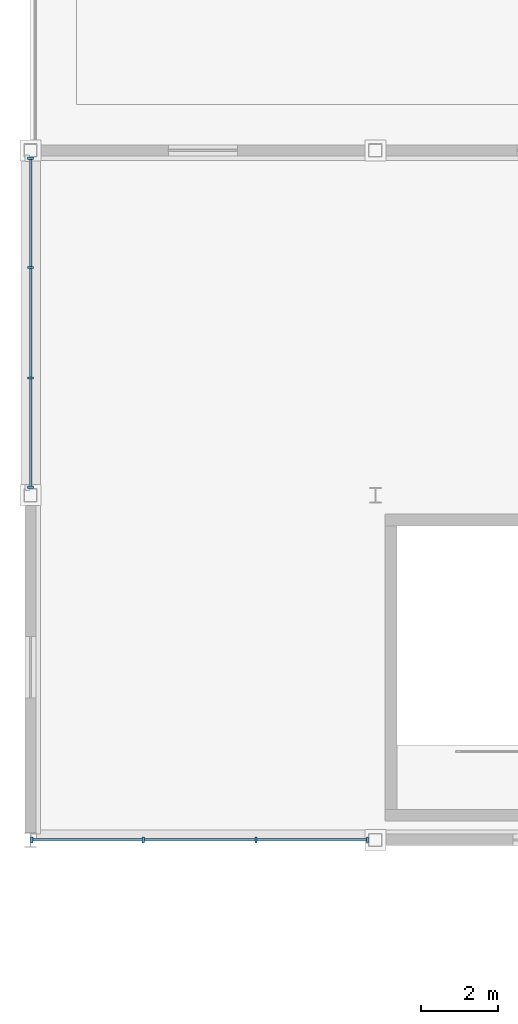
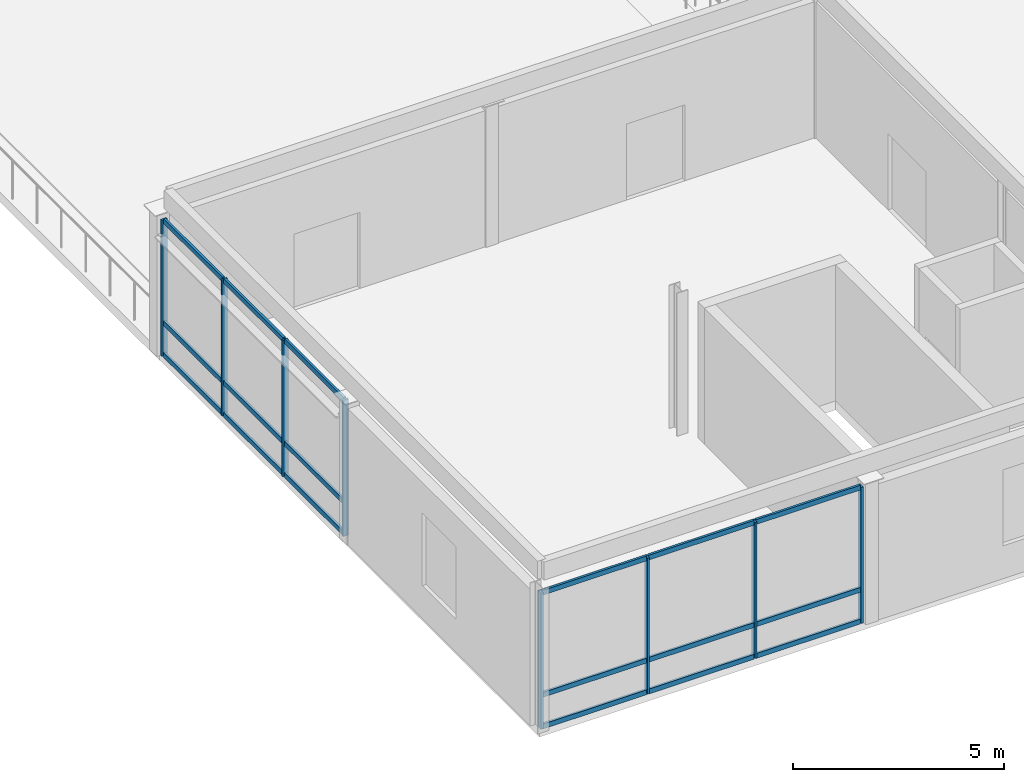
# One storey, part 6 of 14: 26 members, 2 elements without a shape of their own.
"""IFC4 building model written with IfcOpenShell, lengths in metres."""

from ifc_helpers import new_model, si_unit, direction, frame, origin, origin_2d, place, context, subcontext, project, spatial, rectangle, extrude, material, material_profile, profile_set, type_object, element, aggregate, save


model = new_model("IFC4")

# Units and contexts
model_context = context("Model", 3, precision=1e-05, world=origin(), true_north=direction((0.0, 1.0)))
body_context = subcontext(model_context, "Body", "Model", "MODEL_VIEW")
ifc_project = project(units=[si_unit("LENGTHUNIT", "METRE"), si_unit("AREAUNIT", "SQUARE_METRE"), si_unit("VOLUMEUNIT", "CUBIC_METRE"), si_unit("PLANEANGLEUNIT", "RADIAN"), si_unit("MASSUNIT", "GRAM", prefix="KILO")], contexts=[model_context])

# Site, building, storey
site_placement = place(None, origin())
site = spatial("IfcSite", under=ifc_project, at=site_placement, CompositionType="ELEMENT")
building_placement = place(site_placement, origin())
building = spatial("IfcBuilding", under=site, at=building_placement, Name="Suzunagisa Mobility Hub", CompositionType="ELEMENT")
storey_placement = place(building_placement, frame((0.0, 0.0, 26.10009765625)))
storey = spatial("IfcBuildingStorey", under=building, at=storey_placement, Name="L06", CompositionType="ELEMENT", Elevation=26.10009765625)

# Curtain wall, members
ifc_material_1 = material(Name="Thermally Broken Anodized Aluminum and Low-E Glazing", Category="aluminium")
curtain_wall_type = type_object("IfcCurtainWallType", Name="Unitised Curtain Wall CW-36 8750x3900", PredefinedType="USERDEFINED", material=ifc_material_1)
curtain_wall_1_placement = place(storey_placement, origin())
curtain_wall_1 = element("IfcCurtainWall", 1, at=curtain_wall_1_placement, inside=storey, type_object=curtain_wall_type, Name="L06 Unitised Curtain Wall CW-140", ObjectType="UNITISED CURTAIN WALL", PredefinedType="USERDEFINED")
ifc_material_2 = material(Name="Anodized Aluminum 6063-T6", Category="aluminium")
ifc_material_profile_1 = material_profile(ifc_material_2, rectangle(XDim=0.06494140625, YDim=0.139892578125, at=origin_2d()), Name="TRAN-65x140")
ifc_profile_set_1 = profile_set([ifc_material_profile_1], Name="Anodized Aluminum 6063-T6")
member_type_1 = type_object("IfcMemberType", Name="Curtain Wall Framing CM-01 TRAN-65x140", PredefinedType="USERDEFINED", material=ifc_profile_set_1)
member_1_placement = place(storey_placement, frame((45.0625, 80.0, 0.032470703125), z_axis=(1.0, 0.0, 0.0), x_axis=(0.0, 1.0, 0.0)))
member_1 = element("IfcMember", 2, at=member_1_placement, type_object=member_type_1, Name="Curtain Wall Transom 140-T1.1", ObjectType="TRANSOM", PredefinedType="USERDEFINED", context=body_context, shape_type="SweptSolid", body=[
    extrude(rectangle(XDim=0.06494140625, YDim=0.139892578125, at=origin_2d()), origin(), (0.0, 0.0, 1.0), 2.854248046875),
])
member_2_placement = place(storey_placement, frame((45.0625, 80.0, 0.949951171875), z_axis=(1.0, 0.0, 0.0), x_axis=(0.0, 1.0, 0.0)))
member_2 = element("IfcMember", 3, at=member_2_placement, type_object=member_type_1, Name="Curtain Wall Transom 140-T1.2", ObjectType="TRANSOM", PredefinedType="USERDEFINED", context=body_context, shape_type="SweptSolid", body=[
    extrude(rectangle(XDim=0.06494140625, YDim=0.139892578125, at=origin_2d()), origin(), (0.0, 0.0, 1.0), 2.854248046875),
])
member_3_placement = place(storey_placement, frame((45.0625, 80.0, 3.907470703125), z_axis=(1.0, 0.0, 0.0), x_axis=(0.0, 1.0, 0.0)))
member_3 = element("IfcMember", 4, at=member_3_placement, type_object=member_type_1, Name="Curtain Wall Transom 140-T1.3", ObjectType="TRANSOM", PredefinedType="USERDEFINED", context=body_context, shape_type="SweptSolid", body=[
    extrude(rectangle(XDim=0.06494140625, YDim=0.139892578125, at=origin_2d()), origin(), (0.0, 0.0, 1.0), 2.854248046875),
])
member_4_placement = place(storey_placement, frame((47.97265625, 80.0, 0.032470703125), z_axis=(1.0, 0.0, 0.0), x_axis=(0.0, 1.0, 0.0)))
member_4 = element("IfcMember", 5, at=member_4_placement, type_object=member_type_1, Name="Curtain Wall Transom 140-T2.1", ObjectType="TRANSOM", PredefinedType="USERDEFINED", context=body_context, shape_type="SweptSolid", body=[
    extrude(rectangle(XDim=0.06494140625, YDim=0.139892578125, at=origin_2d()), origin(), (0.0, 0.0, 1.0), 2.884033203125),
])
member_5_placement = place(storey_placement, frame((47.97265625, 80.0, 0.949951171875), z_axis=(1.0, 0.0, 0.0), x_axis=(0.0, 1.0, 0.0)))
member_5 = element("IfcMember", 6, at=member_5_placement, type_object=member_type_1, Name="Curtain Wall Transom 140-T2.2", ObjectType="TRANSOM", PredefinedType="USERDEFINED", context=body_context, shape_type="SweptSolid", body=[
    extrude(rectangle(XDim=0.06494140625, YDim=0.139892578125, at=origin_2d()), origin(), (0.0, 0.0, 1.0), 2.884033203125),
])
member_6_placement = place(storey_placement, frame((47.97265625, 80.0, 3.907470703125), z_axis=(1.0, 0.0, 0.0), x_axis=(0.0, 1.0, 0.0)))
member_6 = element("IfcMember", 7, at=member_6_placement, type_object=member_type_1, Name="Curtain Wall Transom 140-T2.3", ObjectType="TRANSOM", PredefinedType="USERDEFINED", context=body_context, shape_type="SweptSolid", body=[
    extrude(rectangle(XDim=0.06494140625, YDim=0.139892578125, at=origin_2d()), origin(), (0.0, 0.0, 1.0), 2.884033203125),
])
member_7_placement = place(storey_placement, frame((50.912841796875, 80.0, 0.032470703125), z_axis=(1.0, 0.0, 0.0), x_axis=(0.0, 1.0, 0.0)))
member_7 = element("IfcMember", 8, at=member_7_placement, type_object=member_type_1, Name="Curtain Wall Transom 140-T3.1", ObjectType="TRANSOM", PredefinedType="USERDEFINED", context=body_context, shape_type="SweptSolid", body=[
    extrude(rectangle(XDim=0.06494140625, YDim=0.139892578125, at=origin_2d()), origin(), (0.0, 0.0, 1.0), 2.854248046875),
])
member_8_placement = place(storey_placement, frame((50.912841796875, 80.0, 0.949951171875), z_axis=(1.0, 0.0, 0.0), x_axis=(0.0, 1.0, 0.0)))
member_8 = element("IfcMember", 9, at=member_8_placement, type_object=member_type_1, Name="Curtain Wall Transom 140-T3.2", ObjectType="TRANSOM", PredefinedType="USERDEFINED", context=body_context, shape_type="SweptSolid", body=[
    extrude(rectangle(XDim=0.06494140625, YDim=0.139892578125, at=origin_2d()), origin(), (0.0, 0.0, 1.0), 2.854248046875),
])
member_9_placement = place(storey_placement, frame((50.912841796875, 80.0, 3.907470703125), z_axis=(1.0, 0.0, 0.0), x_axis=(0.0, 1.0, 0.0)))
member_9 = element("IfcMember", 10, at=member_9_placement, type_object=member_type_1, Name="Curtain Wall Transom 140-T3.3", ObjectType="TRANSOM", PredefinedType="USERDEFINED", context=body_context, shape_type="SweptSolid", body=[
    extrude(rectangle(XDim=0.06494140625, YDim=0.139892578125, at=origin_2d()), origin(), (0.0, 0.0, 1.0), 2.854248046875),
])

curtain_wall_2_placement = place(storey_placement, origin())
curtain_wall_2 = element("IfcCurtainWall", 11, at=curtain_wall_2_placement, inside=storey, type_object=curtain_wall_type, Name="L06 Unitised Curtain Wall CW-141", ObjectType="UNITISED CURTAIN WALL", PredefinedType="USERDEFINED")
member_10_placement = place(storey_placement, frame((45.0, 97.76708984375, 0.032470703125), z_axis=(0.0, -1.0, 0.0), x_axis=(1.0, 0.0, 0.0)))
member_10 = element("IfcMember", 12, at=member_10_placement, type_object=member_type_1, Name="Curtain Wall Transom 141-T1.1", ObjectType="TRANSOM", PredefinedType="USERDEFINED", context=body_context, shape_type="SweptSolid", body=[
    extrude(rectangle(XDim=0.06494140625, YDim=0.139892578125, at=origin_2d()), origin(), (0.0, 0.0, 1.0), 2.79736328125),
])
member_11_placement = place(storey_placement, frame((45.0, 97.76708984375, 0.949951171875), z_axis=(0.0, -1.0, 0.0), x_axis=(1.0, 0.0, 0.0)))
member_11 = element("IfcMember", 13, at=member_11_placement, type_object=member_type_1, Name="Curtain Wall Transom 141-T1.2", ObjectType="TRANSOM", PredefinedType="USERDEFINED", context=body_context, shape_type="SweptSolid", body=[
    extrude(rectangle(XDim=0.06494140625, YDim=0.139892578125, at=origin_2d()), origin(), (0.0, 0.0, 1.0), 2.79736328125),
])
member_12_placement = place(storey_placement, frame((45.0, 97.76708984375, 3.907470703125), z_axis=(0.0, -1.0, 0.0), x_axis=(1.0, 0.0, 0.0)))
member_12 = element("IfcMember", 14, at=member_12_placement, type_object=member_type_1, Name="Curtain Wall Transom 141-T1.3", ObjectType="TRANSOM", PredefinedType="USERDEFINED", context=body_context, shape_type="SweptSolid", body=[
    extrude(rectangle(XDim=0.06494140625, YDim=0.139892578125, at=origin_2d()), origin(), (0.0, 0.0, 1.0), 2.79736328125),
])
member_13_placement = place(storey_placement, frame((45.0, 94.913818359375, 0.032470703125), z_axis=(0.0, -1.0, 0.0), x_axis=(1.0, 0.0, 0.0)))
member_13 = element("IfcMember", 15, at=member_13_placement, type_object=member_type_1, Name="Curtain Wall Transom 141-T2.1", ObjectType="TRANSOM", PredefinedType="USERDEFINED", context=body_context, shape_type="SweptSolid", body=[
    extrude(rectangle(XDim=0.06494140625, YDim=0.139892578125, at=origin_2d()), origin(), (0.0, 0.0, 1.0), 2.82763671875),
])
member_14_placement = place(storey_placement, frame((45.0, 94.913818359375, 0.949951171875), z_axis=(0.0, -1.0, 0.0), x_axis=(1.0, 0.0, 0.0)))
member_14 = element("IfcMember", 16, at=member_14_placement, type_object=member_type_1, Name="Curtain Wall Transom 141-T2.2", ObjectType="TRANSOM", PredefinedType="USERDEFINED", context=body_context, shape_type="SweptSolid", body=[
    extrude(rectangle(XDim=0.06494140625, YDim=0.139892578125, at=origin_2d()), origin(), (0.0, 0.0, 1.0), 2.82763671875),
])
member_15_placement = place(storey_placement, frame((45.0, 94.913818359375, 3.907470703125), z_axis=(0.0, -1.0, 0.0), x_axis=(1.0, 0.0, 0.0)))
member_15 = element("IfcMember", 17, at=member_15_placement, type_object=member_type_1, Name="Curtain Wall Transom 141-T2.3", ObjectType="TRANSOM", PredefinedType="USERDEFINED", context=body_context, shape_type="SweptSolid", body=[
    extrude(rectangle(XDim=0.06494140625, YDim=0.139892578125, at=origin_2d()), origin(), (0.0, 0.0, 1.0), 2.82763671875),
])
member_16_placement = place(storey_placement, frame((45.0, 92.0302734375, 0.032470703125), z_axis=(0.0, -1.0, 0.0), x_axis=(1.0, 0.0, 0.0)))
member_16 = element("IfcMember", 18, at=member_16_placement, type_object=member_type_1, Name="Curtain Wall Transom 141-T3.1", ObjectType="TRANSOM", PredefinedType="USERDEFINED", context=body_context, shape_type="SweptSolid", body=[
    extrude(rectangle(XDim=0.06494140625, YDim=0.139892578125, at=origin_2d()), origin(), (0.0, 0.0, 1.0), 2.79736328125),
])
member_17_placement = place(storey_placement, frame((45.0, 92.0302734375, 0.949951171875), z_axis=(0.0, -1.0, 0.0), x_axis=(1.0, 0.0, 0.0)))
member_17 = element("IfcMember", 19, at=member_17_placement, type_object=member_type_1, Name="Curtain Wall Transom 141-T3.2", ObjectType="TRANSOM", PredefinedType="USERDEFINED", context=body_context, shape_type="SweptSolid", body=[
    extrude(rectangle(XDim=0.06494140625, YDim=0.139892578125, at=origin_2d()), origin(), (0.0, 0.0, 1.0), 2.79736328125),
])
member_18_placement = place(storey_placement, frame((45.0, 92.0302734375, 3.907470703125), z_axis=(0.0, -1.0, 0.0), x_axis=(1.0, 0.0, 0.0)))
member_18 = element("IfcMember", 20, at=member_18_placement, type_object=member_type_1, Name="Curtain Wall Transom 141-T3.3", ObjectType="TRANSOM", PredefinedType="USERDEFINED", context=body_context, shape_type="SweptSolid", body=[
    extrude(rectangle(XDim=0.06494140625, YDim=0.139892578125, at=origin_2d()), origin(), (0.0, 0.0, 1.0), 2.79736328125),
])

# Member
ifc_material_profile_2 = material_profile(ifc_material_2, rectangle(XDim=0.06005859375, YDim=0.14990234375, at=origin_2d()), Name="MULL-60x150")
ifc_profile_set_2 = profile_set([ifc_material_profile_2], Name="Anodized Aluminum 6063-T6")
member_type_2 = type_object("IfcMemberType", Name="Curtain Wall Framing CM-03 MULL-60x150", PredefinedType="MULLION", material=ifc_profile_set_2)
member_19_placement = place(storey_placement, frame((45.034423828125, 80.0, 0.0), z_axis=(0.0, 0.0, 1.0), x_axis=(1.0, 0.0, 0.0)))
member_19 = element("IfcMember", 21, at=member_19_placement, type_object=member_type_2, Name="Curtain Wall Mullion 140-M1", PredefinedType="MULLION", context=body_context, shape_type="SweptSolid", body=[
    extrude(rectangle(XDim=0.06005859375, YDim=0.14990234375, at=origin_2d()), origin(), (0.0, 0.0, 1.0), 3.93994140625),
])

member_20_placement = place(storey_placement, frame((47.944580078125, 80.0, 0.0), z_axis=(0.0, 0.0, 1.0), x_axis=(1.0, 0.0, 0.0)))
member_20 = element("IfcMember", 22, at=member_20_placement, type_object=member_type_2, Name="Curtain Wall Mullion 140-M2", PredefinedType="MULLION", context=body_context, shape_type="SweptSolid", body=[
    extrude(rectangle(XDim=0.06005859375, YDim=0.14990234375, at=origin_2d()), origin(), (0.0, 0.0, 1.0), 3.93994140625),
])

member_21_placement = place(storey_placement, frame((50.884765625, 80.0, 0.0), z_axis=(0.0, 0.0, 1.0), x_axis=(1.0, 0.0, 0.0)))
member_21 = element("IfcMember", 23, at=member_21_placement, type_object=member_type_2, Name="Curtain Wall Mullion 140-M3", PredefinedType="MULLION", context=body_context, shape_type="SweptSolid", body=[
    extrude(rectangle(XDim=0.06005859375, YDim=0.14990234375, at=origin_2d()), origin(), (0.0, 0.0, 1.0), 3.93994140625),
])

member_22_placement = place(storey_placement, frame((53.794921875, 80.0, 0.0), z_axis=(0.0, 0.0, 1.0), x_axis=(1.0, 0.0, 0.0)))
member_22 = element("IfcMember", 24, at=member_22_placement, type_object=member_type_2, Name="Curtain Wall Mullion 140-M4", PredefinedType="MULLION", context=body_context, shape_type="SweptSolid", body=[
    extrude(rectangle(XDim=0.06005859375, YDim=0.14990234375, at=origin_2d()), origin(), (0.0, 0.0, 1.0), 3.93994140625),
])

aggregate(curtain_wall_1, [member_19, member_20, member_21, member_22, member_1, member_2, member_3, member_4, member_5, member_6, member_7, member_8, member_9])

member_23_placement = place(storey_placement, frame((45.0, 97.794921875, 0.0), z_axis=(0.0, 0.0, 1.0), x_axis=(0.0, -1.0, 0.0)))
member_23 = element("IfcMember", 25, at=member_23_placement, type_object=member_type_2, Name="Curtain Wall Mullion 141-M1", PredefinedType="MULLION", context=body_context, shape_type="SweptSolid", body=[
    extrude(rectangle(XDim=0.06005859375, YDim=0.14990234375, at=origin_2d()), origin(), (0.0, 0.0, 1.0), 3.93994140625),
])

member_24_placement = place(storey_placement, frame((45.0, 94.941650390625, 0.0), z_axis=(0.0, 0.0, 1.0), x_axis=(0.0, -1.0, 0.0)))
member_24 = element("IfcMember", 26, at=member_24_placement, type_object=member_type_2, Name="Curtain Wall Mullion 141-M2", PredefinedType="MULLION", context=body_context, shape_type="SweptSolid", body=[
    extrude(rectangle(XDim=0.06005859375, YDim=0.14990234375, at=origin_2d()), origin(), (0.0, 0.0, 1.0), 3.93994140625),
])

member_25_placement = place(storey_placement, frame((45.0, 92.058349609375, 0.0), z_axis=(0.0, 0.0, 1.0), x_axis=(0.0, -1.0, 0.0)))
member_25 = element("IfcMember", 27, at=member_25_placement, type_object=member_type_2, Name="Curtain Wall Mullion 141-M3", PredefinedType="MULLION", context=body_context, shape_type="SweptSolid", body=[
    extrude(rectangle(XDim=0.06005859375, YDim=0.14990234375, at=origin_2d()), origin(), (0.0, 0.0, 1.0), 3.93994140625),
])

member_26_placement = place(storey_placement, frame((45.0, 89.205078125, 0.0), z_axis=(0.0, 0.0, 1.0), x_axis=(0.0, -1.0, 0.0)))
member_26 = element("IfcMember", 28, at=member_26_placement, type_object=member_type_2, Name="Curtain Wall Mullion 141-M4", PredefinedType="MULLION", context=body_context, shape_type="SweptSolid", body=[
    extrude(rectangle(XDim=0.06005859375, YDim=0.14990234375, at=origin_2d()), origin(), (0.0, 0.0, 1.0), 3.93994140625),
])

aggregate(curtain_wall_2, [member_23, member_24, member_25, member_26, member_10, member_11, member_12, member_13, member_14, member_15, member_16, member_17, member_18])

save(model, "model.ifc")
